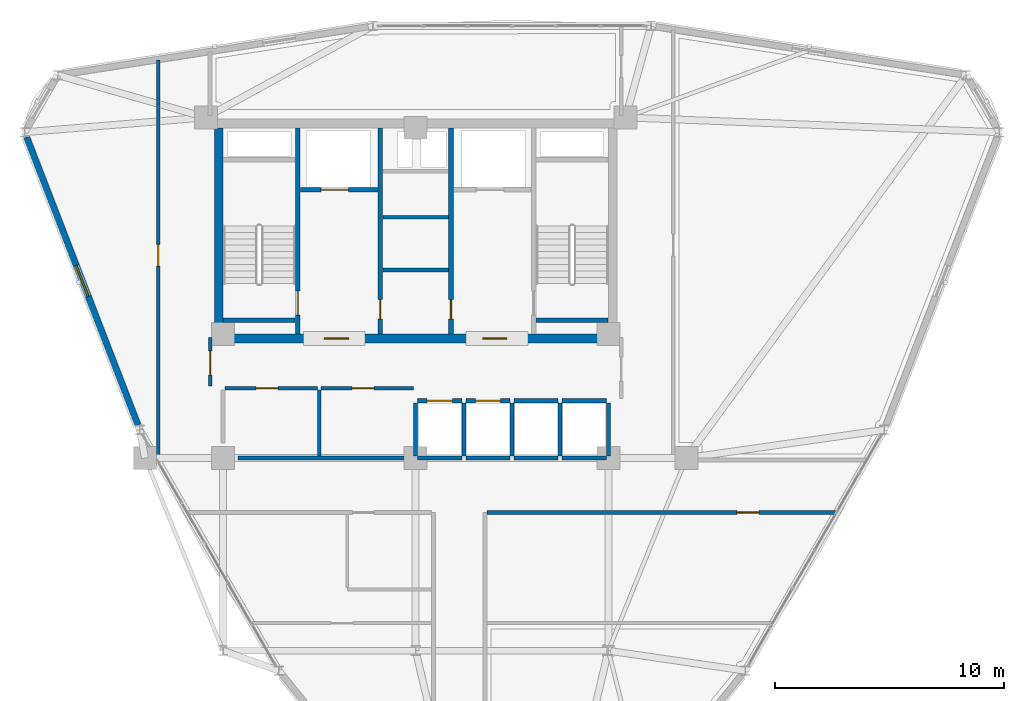
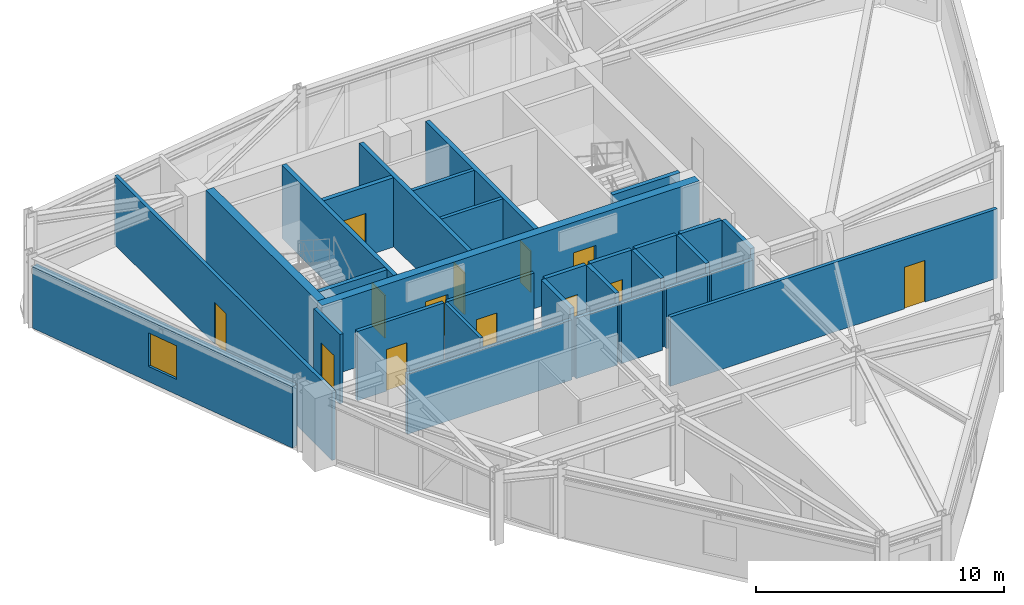
# One storey, part 13 of 16: 31 walls, 13 doors, 1 window, 14 openings.
"""IFC4 building model written with IfcOpenShell, lengths in metres."""

from ifc_helpers import new_model, si_unit, derived_unit, direction, frame, frame_2d, origin, place, context, subcontext, project, spatial, rectangle, extrude, material, layer, layer_set, type_object, element, fill, save


model = new_model("IFC4")

# Units and contexts
model_context = context("Model", 3, precision=1e-05, world=origin(), true_north=direction((0.0, 1.0)))
body_context = subcontext(model_context, "Body", "Model", "MODEL_VIEW")
ifc_project = project(units=[si_unit("LENGTHUNIT", "METRE"), si_unit("AREAUNIT", "SQUARE_METRE"), si_unit("VOLUMEUNIT", "CUBIC_METRE"), si_unit("PLANEANGLEUNIT", "RADIAN"), si_unit("MASSUNIT", "GRAM", prefix="KILO"), derived_unit("THERMALTRANSMITTANCEUNIT", [(si_unit("POWERUNIT", "WATT"), 1), (si_unit("LENGTHUNIT", "METRE"), -2), (si_unit("THERMODYNAMICTEMPERATUREUNIT", "KELVIN"), -1)])], contexts=[model_context])

# Site, building, storey
site_placement = place(None, origin())
site = spatial("IfcSite", under=ifc_project, at=site_placement, CompositionType="ELEMENT")
building_placement = place(site_placement, origin())
building = spatial("IfcBuilding", under=site, at=building_placement, Name="Korsvarv Bourse and Concert Hall", CompositionType="ELEMENT")
storey_placement = place(building_placement, frame((0.0, 0.0, 231.0)))
storey = spatial("IfcBuildingStorey", under=building, at=storey_placement, Name="L60", CompositionType="ELEMENT", Elevation=231.0)

# Wall, openings, doors
ifc_material_1 = material(Name="Concrete C50/60", Category="concrete")
ifc_layer_1 = layer(ifc_material_1, 0.3798828125)
ifc_layer_set_1 = layer_set([ifc_layer_1], Name="Concrete C50/60")
wall_type_1 = type_object("IfcWallType", Name="WL-CORE-380", PredefinedType="SHEAR", material=ifc_layer_set_1)
wall_1_placement = place(storey_placement, frame((27.219970703125, 37.610107421875, 0.0), z_axis=(0.0, 0.0, 1.0), x_axis=(1.0, 0.0, 0.0)))
wall_1 = element("IfcWall", 1, at=wall_1_placement, inside=storey, type_object=wall_type_1, Name="L60 South Core Shear Wall", PredefinedType="SHEAR", context=body_context, shape_type="SweptSolid", body=[
    extrude(rectangle(XDim=17.56005859375, YDim=0.3798828125, at=frame_2d((8.780029296875, 0.0))), origin(), (0.0, 0.0, 1.0), 3.60009765625),
])
opening_1_placement = place(wall_1_placement, frame((4.804931640625, 0.0, 0.0)))
opening_1 = element("IfcOpeningElement", 2, at=opening_1_placement, cuts=wall_1, Name="Opening D-01", PredefinedType="OPENING", context=body_context, shape_type="SweptSolid", body=[
    extrude(rectangle(XDim=1.050048828125, YDim=2.10009765625, at=frame_2d((0.52490234375, 1.050048828125))), frame((0.0, 0.199951171875, 0.0), z_axis=(0.0, -1.0, 0.0), x_axis=(1.0, 0.0, 0.0)), (0.0, 0.0, 1.0), 0.39990234375),
])
opening_2_placement = place(wall_1_placement, frame((11.705078125, 0.0, 0.0)))
opening_2 = element("IfcOpeningElement", 3, at=opening_2_placement, cuts=wall_1, Name="Opening D-01", PredefinedType="OPENING", context=body_context, shape_type="SweptSolid", body=[
    extrude(rectangle(XDim=1.050048828125, YDim=2.10009765625, at=frame_2d((0.52490234375, 1.050048828125))), frame((0.0, 0.199951171875, 0.0), z_axis=(0.0, -1.0, 0.0), x_axis=(1.0, 0.0, 0.0)), (0.0, 0.0, 1.0), 0.39990234375),
])
ifc_material_2 = material(Name="Steel S355 fire door", Category="steel")
door_type_1 = type_object("IfcDoorType", Name="DR-FD60", OperationType="NOTDEFINED", PredefinedType="DOOR", material=ifc_material_2)
door_1_placement = place(opening_1_placement, frame((1.050048828125, 0.0, 0.0), z_axis=(0.0, 0.0, 1.0), x_axis=(-1.0, 0.0, 0.0)))
door_1 = element("IfcDoor", 4, at=door_1_placement, inside=storey, type_object=door_type_1, Name="L60 firefighting lobby fire door DR-L60-FFLW", OperationType="SINGLE_SWING_RIGHT", OverallHeight=2.10009765625, OverallWidth=1.050048828125, PredefinedType="DOOR", context=body_context, shape_type="SweptSolid", body=[
    extrude(rectangle(XDim=1.050048828125, YDim=2.10009765625, at=frame_2d((0.52490234375, 1.050048828125))), frame((0.0, 0.02490234375, 0.0), z_axis=(0.0, -1.0, 0.0), x_axis=(1.0, 0.0, 0.0)), (0.0, 0.0, 1.0), 0.050048828125),
])
fill(opening_1, door_1)
door_2_placement = place(opening_2_placement, frame((1.050048828125, 0.0, 0.0), z_axis=(0.0, 0.0, 1.0), x_axis=(-1.0, 0.0, 0.0)))
door_2 = element("IfcDoor", 5, at=door_2_placement, inside=storey, type_object=door_type_1, Name="L60 firefighting lobby fire door DR-L60-FFLE", OperationType="SINGLE_SWING_LEFT", OverallHeight=2.10009765625, OverallWidth=1.050048828125, PredefinedType="DOOR", context=body_context, shape_type="SweptSolid", body=[
    extrude(rectangle(XDim=1.050048828125, YDim=2.10009765625, at=frame_2d((0.52490234375, 1.050048828125))), frame((0.0, 0.02490234375, 0.0), z_axis=(0.0, -1.0, 0.0), x_axis=(1.0, 0.0, 0.0)), (0.0, 0.0, 1.0), 0.050048828125),
])
fill(opening_2, door_2)

# Wall
wall_2_placement = place(storey_placement, frame((27.409912109375, 37.800048828125, 0.0), z_axis=(0.0, 0.0, 1.0), x_axis=(0.0, 1.0, 0.0)))
element("IfcWall", 6, at=wall_2_placement, inside=storey, type_object=wall_type_1, Name="L60 West Core Shear Wall", PredefinedType="SHEAR", context=body_context, shape_type="SweptSolid", body=[
    extrude(rectangle(XDim=9.0, YDim=0.3798828125, at=frame_2d((4.5, 0.0))), origin(), (0.0, 0.0, 1.0), 3.60009765625),
])

# Wall, opening, door
wall_3_placement = place(storey_placement, frame((30.860107421875, 37.81005859375, 0.0), z_axis=(0.0, 0.0, 1.0), x_axis=(0.0, 1.0, 0.0)))
wall_3 = element("IfcWall", 7, at=wall_3_placement, inside=storey, type_object=wall_type_1, Name="L60 stair shaft structural wall W-L60-ST1-E", PredefinedType="SHEAR", context=body_context, shape_type="SweptSolid", body=[
    extrude(rectangle(XDim=8.97998046875, YDim=0.199951171875, at=frame_2d((4.489990234375, 0.0))), origin(), (0.0, 0.0, 1.0), 3.60009765625),
])
opening_3_placement = place(wall_3_placement, frame((0.820068359375, 0.0, 0.0)))
opening_3 = element("IfcOpeningElement", 8, at=opening_3_placement, cuts=wall_3, Name="Opening D-01", PredefinedType="OPENING", context=body_context, shape_type="SweptSolid", body=[
    extrude(rectangle(XDim=1.050048828125, YDim=2.10009765625, at=frame_2d((0.52490234375, 1.050048828125))), frame((0.0, 0.10986328125, 0.0), z_axis=(0.0, -1.0, 0.0), x_axis=(1.0, 0.0, 0.0)), (0.0, 0.0, 1.0), 0.219970703125),
])
door_3_placement = place(opening_3_placement, origin())
door_3 = element("IfcDoor", 9, at=door_3_placement, inside=storey, type_object=door_type_1, Name="L60 interior door DR-L60-ST1", OperationType="SINGLE_SWING_RIGHT", OverallHeight=2.10009765625, OverallWidth=1.050048828125, PredefinedType="DOOR", context=body_context, shape_type="SweptSolid", body=[
    extrude(rectangle(XDim=1.050048828125, YDim=2.10009765625, at=frame_2d((0.52490234375, 1.050048828125))), frame((0.0, 0.02490234375, 0.0), z_axis=(0.0, -1.0, 0.0), x_axis=(1.0, 0.0, 0.0)), (0.0, 0.0, 1.0), 0.050048828125),
])
fill(opening_3, door_3)

# Walls
for number, where, z_axis, x_axis, name in (
    (10, (27.610107421875, 38.39990234375, 0.0), (0.0, 0.0, 1.0), (1.0, 0.0, 0.0), "L60 stair shaft structural wall W-L60-ST1-S"),
    (11, (41.25, 38.39990234375, 0.0), (0.0, 0.0, 1.0), (1.0, 0.0, 0.0), "L60 stair shaft structural wall W-L60-ST2-S"),
):
    element("IfcWall", number, at=place(storey_placement, frame(where, z_axis=z_axis, x_axis=x_axis)), inside=storey, type_object=wall_type_1, Name=name, PredefinedType="SHEAR", context=body_context, shape_type="SweptSolid", body=[
        extrude(rectangle(XDim=3.139892578125, YDim=0.199951171875, at=frame_2d((1.56982421875, 0.0))), origin(), (0.0, 0.0, 1.0), 3.60009765625),
    ])

# Wall, opening, window
ifc_material_3 = material(Name="Precast concrete C45/55 with fluted terracotta pier", Category="concrete")
ifc_layer_2 = layer(ifc_material_3, 0.280029296875)
ifc_layer_set_2 = layer_set([ifc_layer_2], Name="Precast concrete C45/55 with fluted terracotta pier")
wall_type_2 = type_object("IfcWallType", Name="WL-EXT-TC2", PredefinedType="SOLIDWALL", material=ifc_layer_set_2)
wall_4_placement = place(storey_placement, frame((19.034912109375, 46.393310546875, 0.0), z_axis=(0.0, 0.0, 1.0), x_axis=(0.360620992305, -0.93271244224, 0.0)))
wall_4 = element("IfcWall", 12, at=wall_4_placement, inside=storey, type_object=wall_type_2, Name="L60 terracotta exterior wall EW-L60-B06", PredefinedType="SOLIDWALL", context=body_context, shape_type="SweptSolid", body=[
    extrude(rectangle(XDim=13.456787109375, YDim=0.280029296875, at=frame_2d((6.728515625, 0.0))), origin(), (0.0, 0.0, 1.0), 3.02001953125),
])
opening_4_placement = place(wall_4_placement, frame((6.00341796875, 0.0, 0.75)))
opening_4 = element("IfcOpeningElement", 13, at=opening_4_placement, cuts=wall_4, Name="Opening W-02", PredefinedType="OPENING", context=body_context, shape_type="SweptSolid", body=[
    extrude(rectangle(XDim=1.449951171875, YDim=1.64990234375, at=frame_2d((0.72509765625, 0.824951171875))), frame((0.0, 0.14990234375, 0.0), z_axis=(0.0, -1.0, 0.0), x_axis=(1.0, 0.0, 0.0)), (0.0, 0.0, 1.0), 0.300048828125),
])
ifc_material_4 = material(Name="Thermally broken aluminium frame with triple low-E glass", Category="glass")
window_type = type_object("IfcWindowType", Name="WIN-TW2", PartitioningType="SINGLE_PANEL", PredefinedType="WINDOW", material=ifc_material_4)
window_placement = place(opening_4_placement, origin())
window = element("IfcWindow", 14, at=window_placement, inside=storey, type_object=window_type, Name="L60 punched facade window W-02", OverallHeight=1.64990234375, OverallWidth=1.449951171875, PartitioningType="SINGLE_PANEL", PredefinedType="WINDOW", context=body_context, shape_type="SweptSolid", body=[
    extrude(rectangle(XDim=1.449951171875, YDim=1.64990234375, at=frame_2d((0.72509765625, 0.824951171875))), frame((0.0, 0.030029296875, 0.0), z_axis=(0.0, -1.0, 0.0), x_axis=(1.0, 0.0, 0.0)), (0.0, 0.0, 1.0), 0.06005859375),
])
fill(opening_4, window)

# Wall, opening, door
ifc_material_5 = material(Name="Reinforced concrete blockwork C35/45 fire wall", Category="concrete")
ifc_layer_3 = layer(ifc_material_5, 0.199951171875)
ifc_layer_set_3 = layer_set([ifc_layer_3], Name="Reinforced concrete blockwork C35/45 fire wall")
wall_type_3 = type_object("IfcWallType", Name="WL-INT-EI120", PredefinedType="PARTITIONING", material=ifc_layer_set_3)
wall_5_placement = place(storey_placement, frame((30.969970703125, 44.10009765625, 0.0), z_axis=(0.0, 0.0, 1.0), x_axis=(1.0, 0.0, 0.0)))
wall_5 = element("IfcWall", 15, at=wall_5_placement, inside=storey, type_object=wall_type_3, Name="L60 interior partition wall W-L60-FF1-S", PredefinedType="PARTITIONING", context=body_context, shape_type="SweptSolid", body=[
    extrude(rectangle(XDim=3.380126953125, YDim=0.199951171875, at=frame_2d((1.68994140625, 0.0))), origin(), (0.0, 0.0, 1.0), 3.409912109375),
])
opening_5_placement = place(wall_5_placement, frame((0.89990234375, 0.0, 0.0)))
opening_5 = element("IfcOpeningElement", 16, at=opening_5_placement, cuts=wall_5, Name="Opening LD-1", PredefinedType="OPENING", context=body_context, shape_type="SweptSolid", body=[
    extrude(rectangle(XDim=1.199951171875, YDim=2.10009765625, at=frame_2d((0.60009765625, 1.050048828125))), frame((0.0, 0.10986328125, 0.0), z_axis=(0.0, -1.0, 0.0), x_axis=(1.0, 0.0, 0.0)), (0.0, 0.0, 1.0), 0.219970703125),
])
ifc_material_6 = material(Name="Stainless Steel S355 firefighting lift landing door", Category="steel")
door_type_2 = type_object("IfcDoorType", Name="DR-LIFT-FF", OperationType="DOUBLE_DOOR_SLIDING", PredefinedType="DOOR", material=ifc_material_6)
door_4_placement = place(opening_5_placement, origin())
door_4 = element("IfcDoor", 17, at=door_4_placement, inside=storey, type_object=door_type_2, Name="L60 lift sliding landing door LD-L60-FF1", OperationType="DOUBLE_DOOR_SLIDING", OverallHeight=2.10009765625, OverallWidth=1.199951171875, PredefinedType="DOOR", context=body_context, shape_type="SweptSolid", body=[
    extrude(rectangle(XDim=1.199951171875, YDim=2.10009765625, at=frame_2d((0.60009765625, 1.050048828125))), frame((0.0, 0.02490234375, 0.0), z_axis=(0.0, -1.0, 0.0), x_axis=(1.0, 0.0, 0.0)), (0.0, 0.0, 1.0), 0.050048828125),
])
fill(opening_5, door_4)

wall_6_placement = place(storey_placement, frame((34.4599609375, 37.81005859375, 0.0), z_axis=(0.0, 0.0, 1.0), x_axis=(0.0, 1.0, 0.0)))
wall_6 = element("IfcWall", 18, at=wall_6_placement, inside=storey, type_object=wall_type_3, Name="L60 interior partition wall W-L60-CSB-W", PredefinedType="PARTITIONING", context=body_context, shape_type="SweptSolid", body=[
    extrude(rectangle(XDim=8.97998046875, YDim=0.199951171875, at=frame_2d((4.489990234375, 0.0))), origin(), (0.0, 0.0, 1.0), 3.409912109375),
])
opening_6_placement = place(wall_6_placement, frame((0.64990234375, 0.0, 0.0)))
opening_6 = element("IfcOpeningElement", 19, at=opening_6_placement, cuts=wall_6, Name="Opening D-05", PredefinedType="OPENING", context=body_context, shape_type="SweptSolid", body=[
    extrude(rectangle(XDim=0.85009765625, YDim=2.050048828125, at=frame_2d((0.425048828125, 1.02490234375))), frame((0.0, 0.10986328125, 0.0), z_axis=(0.0, -1.0, 0.0), x_axis=(1.0, 0.0, 0.0)), (0.0, 0.0, 1.0), 0.219970703125),
])
door_type_3 = type_object("IfcDoorType", Name="DR-FD60-850X2050", OperationType="NOTDEFINED", PredefinedType="DOOR", material=ifc_material_2)
door_5_placement = place(opening_6_placement, frame((0.85009765625, 0.0, 0.0), z_axis=(0.0, 0.0, 1.0), x_axis=(-1.0, 0.0, 0.0)))
door_5 = element("IfcDoor", 20, at=door_5_placement, inside=storey, type_object=door_type_3, Name="L60 interior door DR-L60-CSB1", OperationType="SINGLE_SWING_RIGHT", OverallHeight=2.050048828125, OverallWidth=0.85009765625, PredefinedType="DOOR", context=body_context, shape_type="SweptSolid", body=[
    extrude(rectangle(XDim=0.85009765625, YDim=2.050048828125, at=frame_2d((0.425048828125, 1.02490234375))), frame((0.0, 0.02490234375, 0.0), z_axis=(0.0, -1.0, 0.0), x_axis=(1.0, 0.0, 0.0)), (0.0, 0.0, 1.0), 0.050048828125),
])
fill(opening_6, door_5)

wall_7_placement = place(storey_placement, frame((37.5400390625, 37.81005859375, 0.0), z_axis=(0.0, 0.0, 1.0), x_axis=(0.0, 1.0, 0.0)))
wall_7 = element("IfcWall", 21, at=wall_7_placement, inside=storey, type_object=wall_type_3, Name="L60 interior partition wall W-L60-CSB-E", PredefinedType="PARTITIONING", context=body_context, shape_type="SweptSolid", body=[
    extrude(rectangle(XDim=8.97998046875, YDim=0.199951171875, at=frame_2d((4.489990234375, 0.0))), origin(), (0.0, 0.0, 1.0), 3.409912109375),
])
opening_7_placement = place(wall_7_placement, frame((0.64990234375, 0.0, 0.0)))
opening_7 = element("IfcOpeningElement", 22, at=opening_7_placement, cuts=wall_7, Name="Opening D-05", PredefinedType="OPENING", context=body_context, shape_type="SweptSolid", body=[
    extrude(rectangle(XDim=0.85009765625, YDim=2.050048828125, at=frame_2d((0.425048828125, 1.02490234375))), frame((0.0, 0.10986328125, 0.0), z_axis=(0.0, -1.0, 0.0), x_axis=(1.0, 0.0, 0.0)), (0.0, 0.0, 1.0), 0.219970703125),
])
door_6_placement = place(opening_7_placement, origin())
door_6 = element("IfcDoor", 23, at=door_6_placement, inside=storey, type_object=door_type_3, Name="L60 interior door DR-L60-CSB2", OperationType="SINGLE_SWING_LEFT", OverallHeight=2.050048828125, OverallWidth=0.85009765625, PredefinedType="DOOR", context=body_context, shape_type="SweptSolid", body=[
    extrude(rectangle(XDim=0.85009765625, YDim=2.050048828125, at=frame_2d((0.425048828125, 1.02490234375))), frame((0.0, 0.02490234375, 0.0), z_axis=(0.0, -1.0, 0.0), x_axis=(1.0, 0.0, 0.0)), (0.0, 0.0, 1.0), 0.050048828125),
])
fill(opening_7, door_6)

# Walls
ifc_material_7 = material(Name="Double-stud fire-rated acoustic partition", Category="gypsum")
ifc_layer_4 = layer(ifc_material_7, 0.159912109375)
ifc_layer_set_4 = layer_set([ifc_layer_4], Name="Double-stud fire-rated acoustic partition")
wall_type_4 = type_object("IfcWallType", Name="WL-INT-EI60", PredefinedType="PARTITIONING", material=ifc_layer_set_4)
for number, where, z_axis, x_axis, name in (
    (24, (34.570068359375, 40.60009765625, 0.0), (0.0, 0.0, 1.0), (1.0, 0.0, 0.0), "L60 interior partition wall W-L60-K1"),
    (25, (34.570068359375, 42.89990234375, 0.0), (0.0, 0.0, 1.0), (1.0, 0.0, 0.0), "L60 interior partition wall W-L60-K2"),
):
    element("IfcWall", number, at=place(storey_placement, frame(where, z_axis=z_axis, x_axis=x_axis)), inside=storey, type_object=wall_type_4, Name=name, PredefinedType="PARTITIONING", context=body_context, shape_type="SweptSolid", body=[
        extrude(rectangle(XDim=2.85986328125, YDim=0.159912109375, at=frame_2d((1.429931640625, 0.0))), origin(), (0.0, 0.0, 1.0), 3.409912109375),
    ])
wall_8_placement = place(storey_placement, frame((28.25, 32.39990234375, 0.0), z_axis=(0.0, 0.0, 1.0), x_axis=(1.0, 0.0, 0.0)))
element("IfcWall", 26, at=wall_8_placement, inside=storey, type_object=wall_type_4, Name="L60 interior partition wall W-L60-FRD-S", PredefinedType="PARTITIONING", context=body_context, shape_type="SweptSolid", body=[
    extrude(rectangle(XDim=7.64990234375, YDim=0.159912109375, at=frame_2d((3.824951171875, 0.0))), origin(), (0.0, 0.0, 1.0), 2.9599609375),
])

# Wall, opening, door
wall_9_placement = place(storey_placement, frame((27.68994140625, 35.449951171875, 0.0), z_axis=(0.0, 0.0, 1.0), x_axis=(1.0, 0.0, 0.0)))
wall_9 = element("IfcWall", 27, at=wall_9_placement, inside=storey, type_object=wall_type_4, Name="L60 interior partition wall W-L60-FRD-N1", PredefinedType="PARTITIONING", context=body_context, shape_type="SweptSolid", body=[
    extrude(rectangle(XDim=4.030029296875, YDim=0.159912109375, at=frame_2d((2.01513671875, 0.0))), origin(), (0.0, 0.0, 1.0), 3.409912109375),
])
opening_8_placement = place(wall_9_placement, frame((1.35009765625, 0.0, 0.0)))
opening_8 = element("IfcOpeningElement", 28, at=opening_8_placement, cuts=wall_9, Name="Opening D-03", PredefinedType="OPENING", context=body_context, shape_type="SweptSolid", body=[
    extrude(rectangle(XDim=0.949951171875, YDim=2.050048828125, at=frame_2d((0.47509765625, 1.02490234375))), frame((0.0, 0.08984375, 0.0), z_axis=(0.0, -1.0, 0.0), x_axis=(1.0, 0.0, 0.0)), (0.0, 0.0, 1.0), 0.179931640625),
])
ifc_material_8 = material(Name="Nordic oak acoustic office door", Category="wood")
door_type_4 = type_object("IfcDoorType", Name="DR-INT-1", OperationType="NOTDEFINED", PredefinedType="DOOR", material=ifc_material_8)
door_7_placement = place(opening_8_placement, origin())
door_7 = element("IfcDoor", 29, at=door_7_placement, inside=storey, type_object=door_type_4, Name="L60 interior door DR-L60-FRDN1", OperationType="SINGLE_SWING_RIGHT", OverallHeight=2.050048828125, OverallWidth=0.949951171875, PredefinedType="DOOR", context=body_context, shape_type="SweptSolid", body=[
    extrude(rectangle(XDim=0.949951171875, YDim=2.050048828125, at=frame_2d((0.47509765625, 1.02490234375))), frame((0.0, 0.02490234375, 0.0), z_axis=(0.0, -1.0, 0.0), x_axis=(1.0, 0.0, 0.0)), (0.0, 0.0, 1.0), 0.050048828125),
])
fill(opening_8, door_7)

wall_10_placement = place(storey_placement, frame((31.8798828125, 35.449951171875, 0.0), z_axis=(0.0, 0.0, 1.0), x_axis=(1.0, 0.0, 0.0)))
wall_10 = element("IfcWall", 30, at=wall_10_placement, inside=storey, type_object=wall_type_4, Name="L60 interior partition wall W-L60-FRD-N2", PredefinedType="PARTITIONING", context=body_context, shape_type="SweptSolid", body=[
    extrude(rectangle(XDim=4.02001953125, YDim=0.159912109375, at=frame_2d((2.010009765625, 0.0))), origin(), (0.0, 0.0, 1.0), 3.409912109375),
])
opening_9_placement = place(wall_10_placement, frame((1.35009765625, 0.0, 0.0)))
opening_9 = element("IfcOpeningElement", 31, at=opening_9_placement, cuts=wall_10, Name="Opening D-03", PredefinedType="OPENING", context=body_context, shape_type="SweptSolid", body=[
    extrude(rectangle(XDim=0.949951171875, YDim=2.050048828125, at=frame_2d((0.47509765625, 1.02490234375))), frame((0.0, 0.08984375, 0.0), z_axis=(0.0, -1.0, 0.0), x_axis=(1.0, 0.0, 0.0)), (0.0, 0.0, 1.0), 0.179931640625),
])
door_8_placement = place(opening_9_placement, origin())
door_8 = element("IfcDoor", 32, at=door_8_placement, inside=storey, type_object=door_type_4, Name="L60 interior door DR-L60-FRDN2", OperationType="SINGLE_SWING_LEFT", OverallHeight=2.050048828125, OverallWidth=0.949951171875, PredefinedType="DOOR", context=body_context, shape_type="SweptSolid", body=[
    extrude(rectangle(XDim=0.949951171875, YDim=2.050048828125, at=frame_2d((0.47509765625, 1.02490234375))), frame((0.0, 0.02490234375, 0.0), z_axis=(0.0, -1.0, 0.0), x_axis=(1.0, 0.0, 0.0)), (0.0, 0.0, 1.0), 0.050048828125),
])
fill(opening_9, door_8)

wall_11_placement = place(storey_placement, frame((27.0400390625, 35.5400390625, 0.0), z_axis=(0.0, 0.0, 1.0), x_axis=(0.0, 1.0, 0.0)))
wall_11 = element("IfcWall", 33, at=wall_11_placement, inside=storey, type_object=wall_type_4, Name="L60 interior partition wall W-L60-LOB-WL", PredefinedType="PARTITIONING", context=body_context, shape_type="SweptSolid", body=[
    extrude(rectangle(XDim=2.10986328125, YDim=0.159912109375, at=frame_2d((1.054931640625, 0.0))), origin(), (0.0, 0.0, 1.0), 3.409912109375),
])
opening_10_placement = place(wall_11_placement, frame((0.47998046875, 0.0, 0.0)))
opening_10 = element("IfcOpeningElement", 34, at=opening_10_placement, cuts=wall_11, Name="Opening D-01", PredefinedType="OPENING", context=body_context, shape_type="SweptSolid", body=[
    extrude(rectangle(XDim=1.050048828125, YDim=2.10009765625, at=frame_2d((0.52490234375, 1.050048828125))), frame((0.0, 0.08984375, 0.0), z_axis=(0.0, -1.0, 0.0), x_axis=(1.0, 0.0, 0.0)), (0.0, 0.0, 1.0), 0.179931640625),
])
door_9_placement = place(opening_10_placement, frame((1.050048828125, 0.0, 0.0), z_axis=(0.0, 0.0, 1.0), x_axis=(-1.0, 0.0, 0.0)))
door_9 = element("IfcDoor", 35, at=door_9_placement, inside=storey, type_object=door_type_1, Name="L60 interior door DR-L60-LOBW", OperationType="SINGLE_SWING_RIGHT", OverallHeight=2.10009765625, OverallWidth=1.050048828125, PredefinedType="DOOR", context=body_context, shape_type="SweptSolid", body=[
    extrude(rectangle(XDim=1.050048828125, YDim=2.10009765625, at=frame_2d((0.52490234375, 1.050048828125))), frame((0.0, 0.02490234375, 0.0), z_axis=(0.0, -1.0, 0.0), x_axis=(1.0, 0.0, 0.0)), (0.0, 0.0, 1.0), 0.050048828125),
])
fill(opening_10, door_9)

wall_12_placement = place(storey_placement, frame((24.77490234375, 32.254638671875, 0.0), z_axis=(0.0, 0.0, 1.0), x_axis=(0.0, 1.0, 0.0)))
wall_12 = element("IfcWall", 36, at=wall_12_placement, inside=storey, type_object=wall_type_4, Name="L60 interior partition wall W-L60-TCOR-03", PredefinedType="PARTITIONING", context=body_context, shape_type="SweptSolid", body=[
    extrude(rectangle(XDim=17.506591796875, YDim=0.159912109375, at=frame_2d((8.75341796875, 0.0))), origin(), (0.0, 0.0, 1.0), 3.409912109375),
])
opening_11_placement = place(wall_12_placement, frame((8.510498046875, 0.0, 0.0)))
opening_11 = element("IfcOpeningElement", 37, at=opening_11_placement, cuts=wall_12, Name="Opening D-02", PredefinedType="OPENING", context=body_context, shape_type="SweptSolid", body=[
    extrude(rectangle(XDim=0.949951171875, YDim=2.050048828125, at=frame_2d((0.47509765625, 1.02490234375))), frame((0.0, 0.08984375, 0.0), z_axis=(0.0, -1.0, 0.0), x_axis=(1.0, 0.0, 0.0)), (0.0, 0.0, 1.0), 0.179931640625),
])
ifc_material_9 = material(Name="Timber and steel acoustic fire door", Category="wood")
door_type_5 = type_object("IfcDoorType", Name="DR-FD30", OperationType="NOTDEFINED", PredefinedType="DOOR", material=ifc_material_9)
door_10_placement = place(opening_11_placement, origin())
door_10 = element("IfcDoor", 38, at=door_10_placement, inside=storey, type_object=door_type_5, Name="L60 interior door DR-L60-TCOR-NWJ7", OperationType="SINGLE_SWING_RIGHT", OverallHeight=2.050048828125, OverallWidth=0.949951171875, PredefinedType="DOOR", context=body_context, shape_type="SweptSolid", body=[
    extrude(rectangle(XDim=0.949951171875, YDim=2.050048828125, at=frame_2d((0.47509765625, 1.02490234375))), frame((0.0, 0.02490234375, 0.0), z_axis=(0.0, -1.0, 0.0), x_axis=(1.0, 0.0, 0.0)), (0.0, 0.0, 1.0), 0.050048828125),
])
fill(opening_11, door_10)

wall_13_placement = place(storey_placement, frame((39.10693359375, 30.02490234375, 0.0), z_axis=(0.0, 0.0, 1.0), x_axis=(1.0, 0.0, 0.0)))
wall_13 = element("IfcWall", 39, at=wall_13_placement, inside=storey, type_object=wall_type_4, Name="L60 interior partition wall W-L60-TCOR-04", PredefinedType="PARTITIONING", context=body_context, shape_type="SweptSolid", body=[
    extrude(rectangle(XDim=15.222412109375, YDim=0.159912109375, at=frame_2d((7.611328125, 0.0))), origin(), (0.0, 0.0, 1.0), 3.409912109375),
])
opening_12_placement = place(wall_13_placement, frame((10.90087890625, 0.0, 0.0)))
opening_12 = element("IfcOpeningElement", 40, at=opening_12_placement, cuts=wall_13, Name="Opening D-02", PredefinedType="OPENING", context=body_context, shape_type="SweptSolid", body=[
    extrude(rectangle(XDim=0.949951171875, YDim=2.050048828125, at=frame_2d((0.47509765625, 1.02490234375))), frame((0.0, 0.08984375, 0.0), z_axis=(0.0, -1.0, 0.0), x_axis=(1.0, 0.0, 0.0)), (0.0, 0.0, 1.0), 0.179931640625),
])
door_11_placement = place(opening_12_placement, origin())
door_11 = element("IfcDoor", 41, at=door_11_placement, inside=storey, type_object=door_type_5, Name="L60 interior door DR-L60-TCOR-MED3", OperationType="SINGLE_SWING_LEFT", OverallHeight=2.050048828125, OverallWidth=0.949951171875, PredefinedType="DOOR", context=body_context, shape_type="SweptSolid", body=[
    extrude(rectangle(XDim=0.949951171875, YDim=2.050048828125, at=frame_2d((0.47509765625, 1.02490234375))), frame((0.0, 0.02490234375, 0.0), z_axis=(0.0, -1.0, 0.0), x_axis=(1.0, 0.0, 0.0)), (0.0, 0.0, 1.0), 0.050048828125),
])
fill(opening_12, door_11)

ifc_material_10 = material(Name="Gypsum-clad autoclaved concrete shaft wall C30/37", Category="concrete")
ifc_layer_5 = layer(ifc_material_10, 0.179931640625)
ifc_layer_set_5 = layer_set([ifc_layer_5], Name="Gypsum-clad autoclaved concrete shaft wall C30/37")
wall_type_5 = type_object("IfcWallType", Name="WL-INT-EI90", PredefinedType="PARTITIONING", material=ifc_layer_set_5)
wall_14_placement = place(storey_placement, frame((36.090087890625, 34.89990234375, 0.0), z_axis=(0.0, 0.0, 1.0), x_axis=(1.0, 0.0, 0.0)))
wall_14 = element("IfcWall", 42, at=wall_14_placement, inside=storey, type_object=wall_type_5, Name="L60 interior partition wall W-L60-SHFN-PH1", PredefinedType="PARTITIONING", context=body_context, shape_type="SweptSolid", body=[
    extrude(rectangle(XDim=1.919921875, YDim=0.179931640625, at=frame_2d((0.9599609375, 0.0))), origin(), (0.0, 0.0, 1.0), 3.409912109375),
])
opening_13_placement = place(wall_14_placement, frame((0.409912109375, 0.0, 0.0)))
opening_13 = element("IfcOpeningElement", 43, at=opening_13_placement, cuts=wall_14, Name="Opening LD-2", PredefinedType="OPENING", context=body_context, shape_type="SweptSolid", body=[
    extrude(rectangle(XDim=1.10009765625, YDim=2.10009765625, at=frame_2d((0.550048828125, 1.050048828125))), frame((0.0, 0.10009765625, 0.0), z_axis=(0.0, -1.0, 0.0), x_axis=(1.0, 0.0, 0.0)), (0.0, 0.0, 1.0), 0.199951171875),
])
ifc_material_11 = material(Name="Brushed stainless Steel S355 lift landing door", Category="steel")
door_type_6 = type_object("IfcDoorType", Name="DR-LIFT-P", OperationType="DOUBLE_DOOR_SLIDING", PredefinedType="DOOR", material=ifc_material_11)
door_12_placement = place(opening_13_placement, origin())
door_12 = element("IfcDoor", 44, at=door_12_placement, inside=storey, type_object=door_type_6, Name="L60 lift sliding landing door LD-L60-PH1", OperationType="DOUBLE_DOOR_SLIDING", OverallHeight=2.10009765625, OverallWidth=1.10009765625, PredefinedType="DOOR", context=body_context, shape_type="SweptSolid", body=[
    extrude(rectangle(XDim=1.10009765625, YDim=2.10009765625, at=frame_2d((0.550048828125, 1.050048828125))), frame((0.0, 0.02490234375, 0.0), z_axis=(0.0, -1.0, 0.0), x_axis=(1.0, 0.0, 0.0)), (0.0, 0.0, 1.0), 0.050048828125),
])
fill(opening_13, door_12)

# Walls
wall_15_placement = place(storey_placement, frame((36.090087890625, 32.39990234375, 0.0), z_axis=(0.0, 0.0, 1.0), x_axis=(1.0, 0.0, 0.0)))
element("IfcWall", 45, at=wall_15_placement, inside=storey, type_object=wall_type_5, Name="L60 interior partition wall W-L60-SHFS-PH1", PredefinedType="PARTITIONING", context=body_context, shape_type="SweptSolid", body=[
    extrude(rectangle(XDim=1.919921875, YDim=0.179931640625, at=frame_2d((0.9599609375, 0.0))), origin(), (0.0, 0.0, 1.0), 2.9599609375),
])
wall_16_placement = place(storey_placement, frame((36.0, 32.489990234375, 0.0), z_axis=(0.0, 0.0, 1.0), x_axis=(0.0, 1.0, 0.0)))
element("IfcWall", 46, at=wall_16_placement, inside=storey, type_object=wall_type_5, Name="L60 interior partition wall W-L60-SHFW-PH1", PredefinedType="PARTITIONING", context=body_context, shape_type="SweptSolid", body=[
    extrude(rectangle(XDim=2.320068359375, YDim=0.179931640625, at=frame_2d((1.16015625, 0.0))), origin(), (0.0, 0.0, 1.0), 3.409912109375),
])

# Wall, opening, door
wall_17_placement = place(storey_placement, frame((38.18994140625, 34.89990234375, 0.0), z_axis=(0.0, 0.0, 1.0), x_axis=(1.0, 0.0, 0.0)))
wall_17 = element("IfcWall", 47, at=wall_17_placement, inside=storey, type_object=wall_type_5, Name="L60 interior partition wall W-L60-SHFN-PH2", PredefinedType="PARTITIONING", context=body_context, shape_type="SweptSolid", body=[
    extrude(rectangle(XDim=1.920166015625, YDim=0.179931640625, at=frame_2d((0.9599609375, 0.0))), origin(), (0.0, 0.0, 1.0), 3.409912109375),
])
opening_14_placement = place(wall_17_placement, frame((0.409912109375, 0.0, 0.0)))
opening_14 = element("IfcOpeningElement", 48, at=opening_14_placement, cuts=wall_17, Name="Opening LD-2", PredefinedType="OPENING", context=body_context, shape_type="SweptSolid", body=[
    extrude(rectangle(XDim=1.10009765625, YDim=2.10009765625, at=frame_2d((0.550048828125, 1.050048828125))), frame((0.0, 0.10009765625, 0.0), z_axis=(0.0, -1.0, 0.0), x_axis=(1.0, 0.0, 0.0)), (0.0, 0.0, 1.0), 0.199951171875),
])
door_13_placement = place(opening_14_placement, origin())
door_13 = element("IfcDoor", 49, at=door_13_placement, inside=storey, type_object=door_type_6, Name="L60 lift sliding landing door LD-L60-PH2", OperationType="DOUBLE_DOOR_SLIDING", OverallHeight=2.10009765625, OverallWidth=1.10009765625, PredefinedType="DOOR", context=body_context, shape_type="SweptSolid", body=[
    extrude(rectangle(XDim=1.10009765625, YDim=2.10009765625, at=frame_2d((0.550048828125, 1.050048828125))), frame((0.0, 0.02490234375, 0.0), z_axis=(0.0, -1.0, 0.0), x_axis=(1.0, 0.0, 0.0)), (0.0, 0.0, 1.0), 0.050048828125),
])
fill(opening_14, door_13)

# Walls
wall_18_placement = place(storey_placement, frame((38.18994140625, 32.39990234375, 0.0), z_axis=(0.0, 0.0, 1.0), x_axis=(1.0, 0.0, 0.0)))
element("IfcWall", 50, at=wall_18_placement, inside=storey, type_object=wall_type_5, Name="L60 interior partition wall W-L60-SHFS-PH2", PredefinedType="PARTITIONING", context=body_context, shape_type="SweptSolid", body=[
    extrude(rectangle(XDim=1.920166015625, YDim=0.179931640625, at=frame_2d((0.9599609375, 0.0))), origin(), (0.0, 0.0, 1.0), 2.9599609375),
])
wall_19_placement = place(storey_placement, frame((38.10009765625, 32.489990234375, 0.0), z_axis=(0.0, 0.0, 1.0), x_axis=(0.0, 1.0, 0.0)))
element("IfcWall", 51, at=wall_19_placement, inside=storey, type_object=wall_type_5, Name="L60 interior partition wall W-L60-SHFW-PH2", PredefinedType="PARTITIONING", context=body_context, shape_type="SweptSolid", body=[
    extrude(rectangle(XDim=2.320068359375, YDim=0.179931640625, at=frame_2d((1.16015625, 0.0))), origin(), (0.0, 0.0, 1.0), 3.409912109375),
])
wall_20_placement = place(storey_placement, frame((40.2900390625, 34.89990234375, 0.0), z_axis=(0.0, 0.0, 1.0), x_axis=(1.0, 0.0, 0.0)))
element("IfcWall", 52, at=wall_20_placement, inside=storey, type_object=wall_type_5, Name="L60 interior partition wall W-L60-SHFN-PO1", PredefinedType="PARTITIONING", context=body_context, shape_type="SweptSolid", body=[
    extrude(rectangle(XDim=1.919921875, YDim=0.179931640625, at=frame_2d((0.9599609375, 0.0))), origin(), (0.0, 0.0, 1.0), 3.409912109375),
])
wall_21_placement = place(storey_placement, frame((40.2900390625, 32.39990234375, 0.0), z_axis=(0.0, 0.0, 1.0), x_axis=(1.0, 0.0, 0.0)))
element("IfcWall", 53, at=wall_21_placement, inside=storey, type_object=wall_type_5, Name="L60 interior partition wall W-L60-SHFS-PO1", PredefinedType="PARTITIONING", context=body_context, shape_type="SweptSolid", body=[
    extrude(rectangle(XDim=1.919921875, YDim=0.179931640625, at=frame_2d((0.9599609375, 0.0))), origin(), (0.0, 0.0, 1.0), 2.9599609375),
])
wall_22_placement = place(storey_placement, frame((40.199951171875, 32.489990234375, 0.0), z_axis=(0.0, 0.0, 1.0), x_axis=(0.0, 1.0, 0.0)))
element("IfcWall", 54, at=wall_22_placement, inside=storey, type_object=wall_type_5, Name="L60 interior partition wall W-L60-SHFW-PO1", PredefinedType="PARTITIONING", context=body_context, shape_type="SweptSolid", body=[
    extrude(rectangle(XDim=2.320068359375, YDim=0.179931640625, at=frame_2d((1.16015625, 0.0))), origin(), (0.0, 0.0, 1.0), 3.409912109375),
])
wall_23_placement = place(storey_placement, frame((42.389892578125, 34.89990234375, 0.0), z_axis=(0.0, 0.0, 1.0), x_axis=(1.0, 0.0, 0.0)))
element("IfcWall", 55, at=wall_23_placement, inside=storey, type_object=wall_type_5, Name="L60 interior partition wall W-L60-SHFN-PO2", PredefinedType="PARTITIONING", context=body_context, shape_type="SweptSolid", body=[
    extrude(rectangle(XDim=1.920166015625, YDim=0.179931640625, at=frame_2d((0.9599609375, 0.0))), origin(), (0.0, 0.0, 1.0), 3.409912109375),
])
wall_24_placement = place(storey_placement, frame((42.389892578125, 32.39990234375, 0.0), z_axis=(0.0, 0.0, 1.0), x_axis=(1.0, 0.0, 0.0)))
element("IfcWall", 56, at=wall_24_placement, inside=storey, type_object=wall_type_5, Name="L60 interior partition wall W-L60-SHFS-PO2", PredefinedType="PARTITIONING", context=body_context, shape_type="SweptSolid", body=[
    extrude(rectangle(XDim=1.920166015625, YDim=0.179931640625, at=frame_2d((0.9599609375, 0.0))), origin(), (0.0, 0.0, 1.0), 2.9599609375),
])
for number, where, z_axis, x_axis, name in (
    (57, (42.300048828125, 32.489990234375, 0.0), (0.0, 0.0, 1.0), (0.0, 1.0, 0.0), "L60 interior partition wall W-L60-SHFW-PO2"),
    (58, (44.39990234375, 32.489990234375, 0.0), (0.0, 0.0, 1.0), (0.0, 1.0, 0.0), "L60 interior partition wall W-L60-SHFE-END"),
):
    element("IfcWall", number, at=place(storey_placement, frame(where, z_axis=z_axis, x_axis=x_axis)), inside=storey, type_object=wall_type_5, Name=name, PredefinedType="PARTITIONING", context=body_context, shape_type="SweptSolid", body=[
        extrude(rectangle(XDim=2.320068359375, YDim=0.179931640625, at=frame_2d((1.16015625, 0.0))), origin(), (0.0, 0.0, 1.0), 3.409912109375),
    ])
ifc_material_12 = material(Name="Insulated steel-stud office acoustic partition", Category="gypsum")
ifc_layer_6 = layer(ifc_material_12, 0.139892578125)
ifc_layer_set_6 = layer_set([ifc_layer_6], Name="Insulated steel-stud office acoustic partition")
wall_type_6 = type_object("IfcWallType", Name="WL-INT-P1", PredefinedType="PARTITIONING", material=ifc_layer_set_6)
wall_25_placement = place(storey_placement, frame((31.800048828125, 32.489990234375, 0.0), z_axis=(0.0, 0.0, 1.0), x_axis=(0.0, 1.0, 0.0)))
element("IfcWall", 59, at=wall_25_placement, inside=storey, type_object=wall_type_6, Name="L60 interior partition wall W-L60-FRD-V", PredefinedType="PARTITIONING", context=body_context, shape_type="SweptSolid", body=[
    extrude(rectangle(XDim=2.8701171875, YDim=0.139892578125, at=frame_2d((1.43505859375, 0.0))), origin(), (0.0, 0.0, 1.0), 3.409912109375),
])

save(model, "model.ifc")
